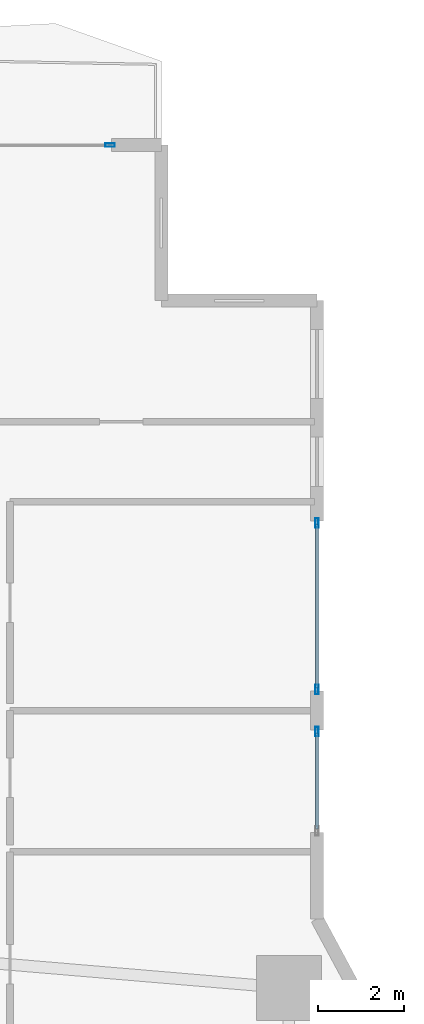
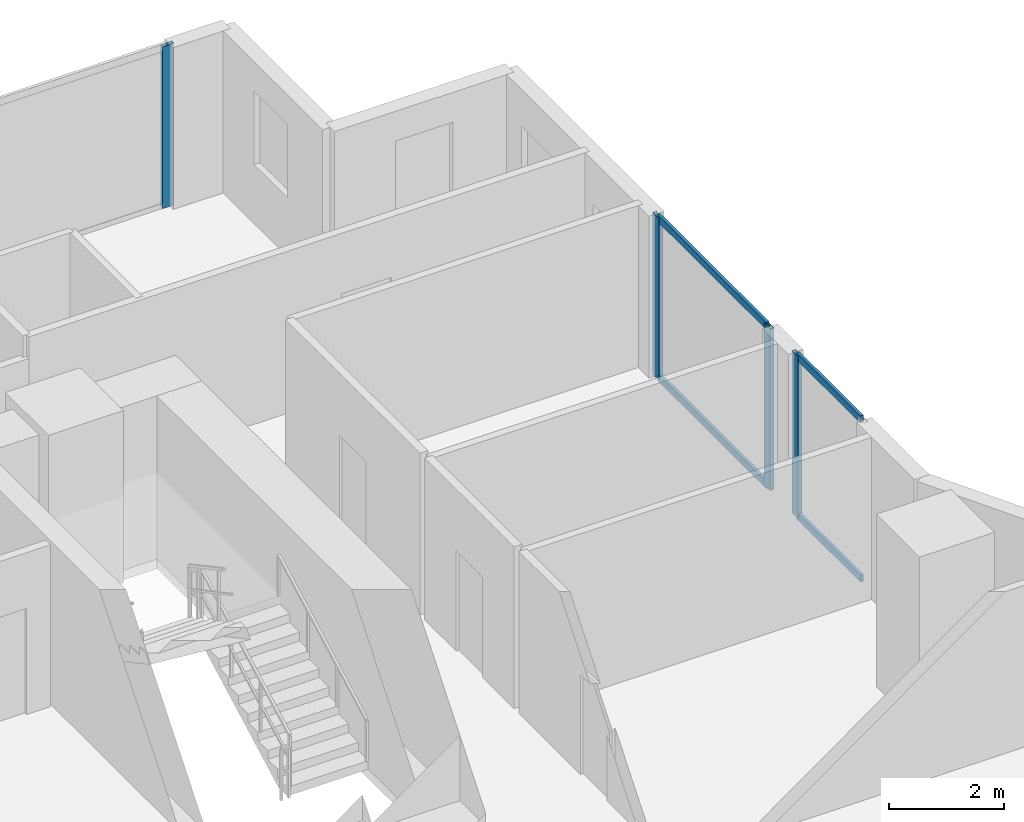
# One storey, part 16 of 28: 8 members, 3 elements without a shape of their own.
"""IFC4 building model written with IfcOpenShell, lengths in metres."""

from ifc_helpers import new_model, si_unit, direction, frame, origin, origin_2d, place, context, subcontext, project, spatial, hollow_rectangle, extrude, material, layer, layer_set, material_profile, profile_set, type_object, element, aggregate, save


model = new_model("IFC4")

# Units and contexts
model_context = context("Model", 3, precision=1e-05, world=origin(), true_north=direction((0.0, 1.0)))
body_context = subcontext(model_context, "Body", "Model", "MODEL_VIEW")
ifc_project = project(units=[si_unit("LENGTHUNIT", "METRE"), si_unit("AREAUNIT", "SQUARE_METRE"), si_unit("VOLUMEUNIT", "CUBIC_METRE"), si_unit("PLANEANGLEUNIT", "RADIAN"), si_unit("MASSUNIT", "GRAM", prefix="KILO")], contexts=[model_context])

# Site, building, storey
site_placement = place(None, origin())
site = spatial("IfcSite", under=ifc_project, at=site_placement, CompositionType="ELEMENT")
building_placement = place(site_placement, origin())
building = spatial("IfcBuilding", under=site, at=building_placement, Name="Zuhayl Quay Hotel", CompositionType="ELEMENT")
storey_placement = place(building_placement, frame((0.0, 0.0, 31.25)))
storey = spatial("IfcBuildingStorey", under=building, at=storey_placement, Name="L06", CompositionType="ELEMENT", Elevation=31.25)

# Curtain wall, member
ifc_material_1 = material(Name="Anodised Aluminium 6063-T6", Category="aluminium")
ifc_layer = layer(ifc_material_1, 0.18994140625, Name="Anodised Aluminium 6063-T6", Category="aluminium")
ifc_layer_set = layer_set([ifc_layer], Name="Anodised Aluminium 6063-T6")
curtain_wall_type = type_object("IfcCurtainWallType", Name="CW_SYS_Z1", PredefinedType="USERDEFINED", material=ifc_layer_set)
curtain_wall_1_placement = place(storey_placement, origin())
curtain_wall_1 = element("IfcCurtainWall", 1, at=curtain_wall_1_placement, inside=storey, type_object=curtain_wall_type, Name="L06 Curtain Wall ENV_L06_N_CW4", ObjectType="UNITISED CURTAIN WALL", PredefinedType="USERDEFINED")
ifc_material_2 = material(Name="Black-anodised aluminium 6063-T6", Category="aluminium")
ifc_material_profile_1 = material_profile(ifc_material_2, hollow_rectangle(XDim=0.074951171875, YDim=0.219970703125, WallThickness=0.00390625, at=origin_2d()), Name="ALU220X75")
ifc_profile_set_1 = profile_set([ifc_material_profile_1], Name="Black-anodised aluminium 6063-T6")
member_type_1 = type_object("IfcMemberType", Name="MB_CW_MUL_220", PredefinedType="MULLION", material=ifc_profile_set_1)
member_1_placement = place(storey_placement, frame((20.91259765625, 23.10009765625, 0.0), z_axis=(0.0, 0.0, 1.0), x_axis=(0.0, 1.0, 0.0)))
member_1 = element("IfcMember", 2, at=member_1_placement, type_object=member_type_1, Name="CW-Z1 mullion 2", PredefinedType="MULLION", context=body_context, shape_type="SweptSolid", body=[
    extrude(hollow_rectangle(XDim=0.074951171875, YDim=0.219970703125, WallThickness=0.00390625, at=origin_2d()), origin(), (0.0, 0.0, 1.0), 3.429931640625),
])
aggregate(curtain_wall_1, [member_1])

# Curtain wall, members
curtain_wall_2_placement = place(storey_placement, origin())
curtain_wall_2 = element("IfcCurtainWall", 3, at=curtain_wall_2_placement, inside=storey, type_object=curtain_wall_type, Name="L06 Curtain Wall ENV_L06_E11_CW1", ObjectType="UNITISED CURTAIN WALL", PredefinedType="USERDEFINED")
member_2_placement = place(storey_placement, frame((25.699951171875, 14.362548828125, 0.0), z_axis=(0.0, 0.0, 1.0), x_axis=(1.0, 0.0, 0.0)))
member_2 = element("IfcMember", 4, at=member_2_placement, type_object=member_type_1, Name="CW-Z1 mullion 1", PredefinedType="MULLION", context=body_context, shape_type="SweptSolid", body=[
    extrude(hollow_rectangle(XDim=0.074951171875, YDim=0.219970703125, WallThickness=0.00390625, at=origin_2d()), origin(), (0.0, 0.0, 1.0), 3.429931640625),
])
member_3_placement = place(storey_placement, frame((25.699951171875, 10.507568359375, 0.0), z_axis=(0.0, 0.0, 1.0), x_axis=(1.0, 0.0, 0.0)))
member_3 = element("IfcMember", 5, at=member_3_placement, type_object=member_type_1, Name="CW-Z1 mullion 2", PredefinedType="MULLION", context=body_context, shape_type="SweptSolid", body=[
    extrude(hollow_rectangle(XDim=0.074951171875, YDim=0.219970703125, WallThickness=0.00390625, at=origin_2d()), origin(), (0.0, 0.0, 1.0), 3.429931640625),
])

# Curtain wall, member
curtain_wall_3_placement = place(storey_placement, origin())
curtain_wall_3 = element("IfcCurtainWall", 6, at=curtain_wall_3_placement, inside=storey, type_object=curtain_wall_type, Name="L06 Curtain Wall ENV_L06_E11_CW2", ObjectType="UNITISED CURTAIN WALL", PredefinedType="USERDEFINED")
member_4_placement = place(storey_placement, frame((25.699951171875, 9.532470703125, 0.0), z_axis=(0.0, 0.0, 1.0), x_axis=(1.0, 0.0, 0.0)))
member_4 = element("IfcMember", 7, at=member_4_placement, type_object=member_type_1, Name="CW-Z1 mullion 1", PredefinedType="MULLION", context=body_context, shape_type="SweptSolid", body=[
    extrude(hollow_rectangle(XDim=0.074951171875, YDim=0.219970703125, WallThickness=0.00390625, at=origin_2d()), origin(), (0.0, 0.0, 1.0), 3.429931640625),
])

# Member
ifc_material_profile_2 = material_profile(ifc_material_2, hollow_rectangle(XDim=0.06005859375, YDim=0.14990234375, WallThickness=0.00341796875, at=origin_2d()), Name="ALU150X60")
ifc_profile_set_2 = profile_set([ifc_material_profile_2], Name="Black-anodised aluminium 6063-T6")
member_type_2 = type_object("IfcMemberType", Name="MB_CW_TRN_150", PredefinedType="USERDEFINED", material=ifc_profile_set_2)
member_5_placement = place(storey_placement, frame((25.699951171875, 14.324951171875, 0.030029296875), z_axis=(0.0, -1.0, 0.0), x_axis=(1.0, 0.0, 0.0)))
member_5 = element("IfcMember", 8, at=member_5_placement, type_object=member_type_2, Name="CW-Z1 transom 1.1", ObjectType="TRANSOM", PredefinedType="USERDEFINED", context=body_context, shape_type="SweptSolid", body=[
    extrude(hollow_rectangle(XDim=0.06005859375, YDim=0.14990234375, WallThickness=0.00341796875, at=origin_2d()), origin(), (0.0, 0.0, 1.0), 3.780029296875),
])

member_6_placement = place(storey_placement, frame((25.699951171875, 14.324951171875, 3.39990234375), z_axis=(0.0, -1.0, 0.0), x_axis=(1.0, 0.0, 0.0)))
member_6 = element("IfcMember", 9, at=member_6_placement, type_object=member_type_2, Name="CW-Z1 transom 1.2", ObjectType="TRANSOM", PredefinedType="USERDEFINED", context=body_context, shape_type="SweptSolid", body=[
    extrude(hollow_rectangle(XDim=0.06005859375, YDim=0.14990234375, WallThickness=0.00341796875, at=origin_2d()), origin(), (0.0, 0.0, 1.0), 3.780029296875),
])

aggregate(curtain_wall_2, [member_2, member_3, member_5, member_6])

member_7_placement = place(storey_placement, frame((25.699951171875, 9.4951171875, 0.030029296875), z_axis=(0.0, -1.0, 0.0), x_axis=(1.0, 0.0, 0.0)))
member_7 = element("IfcMember", 10, at=member_7_placement, type_object=member_type_2, Name="CW-Z1 transom 1.1", ObjectType="TRANSOM", PredefinedType="USERDEFINED", context=body_context, shape_type="SweptSolid", body=[
    extrude(hollow_rectangle(XDim=0.06005859375, YDim=0.14990234375, WallThickness=0.00341796875, at=origin_2d()), origin(), (0.0, 0.0, 1.0), 2.22021484375),
])

member_8_placement = place(storey_placement, frame((25.699951171875, 9.4951171875, 3.39990234375), z_axis=(0.0, -1.0, 0.0), x_axis=(1.0, 0.0, 0.0)))
member_8 = element("IfcMember", 11, at=member_8_placement, type_object=member_type_2, Name="CW-Z1 transom 1.2", ObjectType="TRANSOM", PredefinedType="USERDEFINED", context=body_context, shape_type="SweptSolid", body=[
    extrude(hollow_rectangle(XDim=0.06005859375, YDim=0.14990234375, WallThickness=0.00341796875, at=origin_2d()), origin(), (0.0, 0.0, 1.0), 2.22021484375),
])

aggregate(curtain_wall_3, [member_4, member_7, member_8])

save(model, "model.ifc")
